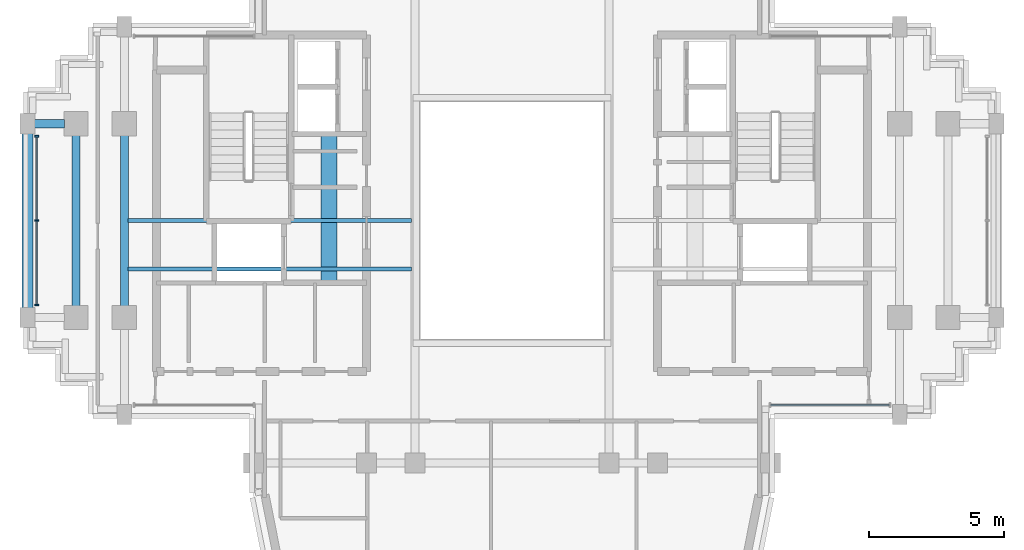
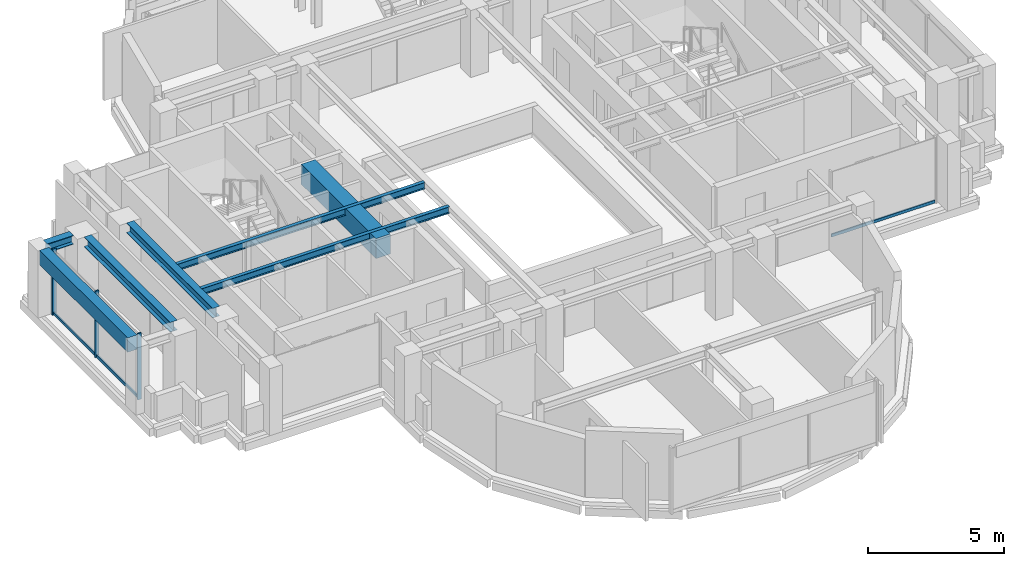
# One storey, part 4 of 13: 7 beams, 6 members, 2 elements without a shape of their own.
"""IFC4 building model written with IfcOpenShell, lengths in metres."""

from ifc_helpers import new_model, si_unit, direction, frame, origin, origin_2d, place, context, subcontext, project, spatial, rectangle, i_section, extrude, source, transform, mapped, material, material_profile, profile_set, type_object, element, aggregate, save


model = new_model("IFC4")

# Units and contexts
model_context = context("Model", 3, precision=1e-05, world=origin(), true_north=direction((0.0, 1.0)))
body_context = subcontext(model_context, "Body", "Model", "MODEL_VIEW")
ifc_project = project(units=[si_unit("LENGTHUNIT", "METRE"), si_unit("AREAUNIT", "SQUARE_METRE"), si_unit("VOLUMEUNIT", "CUBIC_METRE"), si_unit("PLANEANGLEUNIT", "RADIAN"), si_unit("MASSUNIT", "GRAM", prefix="KILO")], contexts=[model_context])

# Site, building, storey
site_placement = place(None, origin())
site = spatial("IfcSite", under=ifc_project, at=site_placement, CompositionType="ELEMENT")
building_placement = place(site_placement, origin())
building = spatial("IfcBuilding", under=site, at=building_placement, Name="Keilestroom Media Tower", CompositionType="ELEMENT")
storey_placement = place(building_placement, frame((0.0, 0.0, 230.0)))
storey = spatial("IfcBuildingStorey", under=building, at=storey_placement, Name="L63", CompositionType="ELEMENT", Elevation=230.0)

# Beams
ifc_material_1 = material(Name="Concrete C70/85", Category="concrete")
ifc_material_profile_1 = material_profile(ifc_material_1, rectangle(XDim=0.60009765625, YDim=0.89990234375, at=origin_2d()), Name="RC 600x900")
ifc_profile_set_1 = profile_set([ifc_material_profile_1], Name="Concrete C70/85")
beam_type_1 = type_object("IfcBeamType", Name="Core-Coupling-Lintel-Beam-RC-600x900", PredefinedType="LINTEL", material=ifc_profile_set_1)
shared_shape_1 = source(origin(), body_context, "Body", "SweptSolid", [
    extrude(rectangle(XDim=0.60009765625, YDim=0.89990234375, at=origin_2d()), origin(), (0.0, 0.0, 1.0), 5.52001953125),
])
beam_1_placement = place(storey_placement, frame((-6.800048828125, -2.300048828125, 2.56005859375), z_axis=(0.0, 1.0, 0.0), x_axis=(-1.0, 0.0, 0.0)))
element("IfcBeam", 1, at=beam_1_placement, inside=storey, type_object=beam_type_1, Name="L63 Beam CLB-1 CLB-L63-W", PredefinedType="LINTEL", context=body_context, shape_type="MappedRepresentation", body=[
    mapped(shared_shape_1, transform((0.0, 0.0, 0.0), x_axis=(1.0, 0.0, 0.0), y_axis=(0.0, 1.0, 0.0), z_axis=(0.0, 0.0, 1.0), scale=1.0)),
])
ifc_material_2 = material(Name="Steel S355", Category="steel")
ifc_material_profile_2 = material_profile(ifc_material_2, i_section(OverallWidth=0.300048828125, OverallDepth=0.39990234375, WebThickness=0.011474609375, FlangeThickness=0.02392578125, at=origin_2d()), Name="HEB 400")
ifc_profile_set_2 = profile_set([ifc_material_profile_2], Name="Steel S355")
beam_type_2 = type_object("IfcBeamType", Name="Primary-Structural-Girder-HEB-400", PredefinedType="BEAM", material=ifc_profile_set_2)
shared_shape_2 = source(origin(), body_context, "Body", "SweptSolid", [
    extrude(i_section(OverallWidth=0.300048828125, OverallDepth=0.39990234375, WebThickness=0.011474609375, FlangeThickness=0.02392578125, at=origin_2d()), origin(), (0.0, 0.0, 1.0), 1.115234375),
])
beam_2_placement = place(storey_placement, frame((-17.7451171875, 3.60009765625, 2.81005859375), z_axis=(1.0, 0.0, 0.0), x_axis=(0.0, 1.0, 0.0)))
element("IfcBeam", 2, at=beam_2_placement, inside=storey, type_object=beam_type_2, Name="L63 Beam BG-8 BM-L63-EW-012", PredefinedType="BEAM", context=body_context, shape_type="MappedRepresentation", body=[
    mapped(shared_shape_2, transform((0.0, 0.0, 0.0), x_axis=(1.0, 0.0, 0.0), y_axis=(0.0, 1.0, 0.0), z_axis=(0.0, 0.0, 1.0), scale=1.0)),
])
ifc_material_3 = material(Name="Precast concrete C40/50", Category="concrete")
ifc_material_profile_3 = material_profile(ifc_material_3, rectangle(XDim=0.39990234375, YDim=0.64990234375, at=origin_2d()), Name="PC 400x650")
ifc_profile_set_3 = profile_set([ifc_material_profile_3], Name="Precast concrete C40/50")
beam_type_3 = type_object("IfcBeamType", Name="Perimeter-Spandrel-Beam-PC-400x650", PredefinedType="SPANDREL", material=ifc_profile_set_3)
shared_shape_3 = source(origin(), body_context, "Body", "SweptSolid", [
    extrude(rectangle(XDim=0.39990234375, YDim=0.64990234375, at=origin_2d()), origin(), (0.0, 0.0, 1.0), 6.490234375),
])
beam_3_placement = place(storey_placement, frame((-18.0, -3.2451171875, 2.68505859375), z_axis=(0.0, 1.0, 0.0), x_axis=(-1.0, 0.0, 0.0)))
element("IfcBeam", 3, at=beam_3_placement, inside=storey, type_object=beam_type_3, Name="L63 Beam SPB-2 BM-L63-NS-025", PredefinedType="SPANDREL", context=body_context, shape_type="MappedRepresentation", body=[
    mapped(shared_shape_3, transform((0.0, 0.0, 0.0), x_axis=(1.0, 0.0, 0.0), y_axis=(0.0, 1.0, 0.0), z_axis=(0.0, 0.0, 1.0), scale=1.0)),
])
ifc_material_profile_4 = material_profile(ifc_material_2, i_section(OverallWidth=0.300048828125, OverallDepth=0.43994140625, WebThickness=0.011474609375, FlangeThickness=0.02099609375, at=origin_2d()), Name="HEA 450")
ifc_profile_set_4 = profile_set([ifc_material_profile_4], Name="Steel S355")
beam_type_4 = type_object("IfcBeamType", Name="Primary-Structural-Girder-HEA-450", PredefinedType="BEAM", material=ifc_profile_set_4)
shared_shape_4 = source(origin(), body_context, "Body", "SweptSolid", [
    extrude(i_section(OverallWidth=0.300048828125, OverallDepth=0.43994140625, WebThickness=0.011474609375, FlangeThickness=0.02099609375, at=origin_2d()), origin(), (0.0, 0.0, 1.0), 6.33984375),
])
for number, where, z_axis, x_axis, name in (
    (4, (-16.199951171875, -3.169921875, 2.7900390625), (0.0, 1.0, 0.0), (-1.0, 0.0, 0.0), "L63 Beam BG-11 BM-L63-NS-026"),
    (5, (-14.39990234375, -3.169921875, 2.7900390625), (0.0, 1.0, 0.0), (-1.0, 0.0, 0.0), "L63 Beam BG-11 BM-L63-NS-028"),
):
    element("IfcBeam", number, at=place(storey_placement, frame(where, z_axis=z_axis, x_axis=x_axis)), inside=storey, type_object=beam_type_4, Name=name, PredefinedType="BEAM", context=body_context, shape_type="MappedRepresentation", body=[
        mapped(shared_shape_4, transform((0.0, 0.0, 0.0), x_axis=(1.0, 0.0, 0.0), y_axis=(0.0, 1.0, 0.0), z_axis=(0.0, 0.0, 1.0), scale=1.0)),
    ])
ifc_material_profile_5 = material_profile(ifc_material_2, i_section(OverallWidth=0.14990234375, OverallDepth=0.300048828125, WebThickness=0.007080078125, FlangeThickness=0.0107421875, at=origin_2d()), Name="IPE 300")
ifc_profile_set_5 = profile_set([ifc_material_profile_5], Name="Steel S355")
beam_type_5 = type_object("IfcBeamType", Name="Secondary-Floor-Joist-IPE-300", PredefinedType="JOIST", material=ifc_profile_set_5)
shared_shape_5 = source(origin(), body_context, "Body", "SweptSolid", [
    extrude(i_section(OverallWidth=0.14990234375, OverallDepth=0.300048828125, WebThickness=0.007080078125, FlangeThickness=0.0107421875, at=origin_2d()), origin(), (0.0, 0.0, 1.0), 10.5400390625),
])
for number, where, z_axis, x_axis, name in (
    (6, (-14.27001953125, -1.800048828125, 2.860107421875), (1.0, 0.0, 0.0), (0.0, 1.0, 0.0), "L63 Beam BJ-7 JST-L63-045"),
    (7, (-14.27001953125, 0.0, 2.860107421875), (1.0, 0.0, 0.0), (0.0, 1.0, 0.0), "L63 Beam BJ-7 JST-L63-048"),
):
    element("IfcBeam", number, at=place(storey_placement, frame(where, z_axis=z_axis, x_axis=x_axis)), inside=storey, type_object=beam_type_5, Name=name, PredefinedType="JOIST", context=body_context, shape_type="MappedRepresentation", body=[
        mapped(shared_shape_5, transform((0.0, 0.0, 0.0), x_axis=(1.0, 0.0, 0.0), y_axis=(0.0, 1.0, 0.0), z_axis=(0.0, 0.0, 1.0), scale=1.0)),
    ])

# Curtain wall, members
ifc_material_4 = material(Name="Anodised Aluminium Alloy", Category="aluminium")
curtain_wall_type = type_object("IfcCurtainWallType", Name="Unitised-Curtain-Wall-CW-4", PredefinedType="NOTDEFINED", material=ifc_material_4)
curtain_wall_1_placement = place(storey_placement, origin())
curtain_wall_1 = element("IfcCurtainWall", 8, at=curtain_wall_1_placement, inside=storey, type_object=curtain_wall_type, Name="L63 Curtain Wall CW-4 CW-L63-W-1", PredefinedType="NOTDEFINED")
ifc_material_profile_6 = material_profile(ifc_material_4, rectangle(XDim=0.06005859375, YDim=0.159912109375, at=origin_2d()), Name="ALU MULLION 60x160")
ifc_profile_set_6 = profile_set([ifc_material_profile_6], Name="Anodised Aluminium Alloy")
member_type_1 = type_object("IfcMemberType", Name="Curtain-Wall-Mullion-CW-4", PredefinedType="MULLION", material=ifc_profile_set_6)
shared_shape_6 = source(origin(), body_context, "Body", "SweptSolid", [
    extrude(rectangle(XDim=0.06005859375, YDim=0.159912109375, at=origin_2d()), origin(), (0.0, 0.0, 1.0), 2.97998046875),
])
member_1_placement = place(storey_placement, frame((-17.64990234375, -3.135009765625, 0.0), z_axis=(0.0, 0.0, 1.0), x_axis=(0.0, 1.0, 0.0)))
member_1 = element("IfcMember", 9, at=member_1_placement, type_object=member_type_1, Name="CW-4 Mullion 00", PredefinedType="MULLION", context=body_context, shape_type="MappedRepresentation", body=[
    mapped(shared_shape_6, transform((0.0, 0.0, 0.0), x_axis=(1.0, 0.0, 0.0), y_axis=(0.0, 1.0, 0.0), z_axis=(0.0, 0.0, 1.0), scale=1.0)),
])
member_2_placement = place(storey_placement, frame((-17.64990234375, 0.0, 0.0), z_axis=(0.0, 0.0, 1.0), x_axis=(0.0, 1.0, 0.0)))
member_2 = element("IfcMember", 10, at=member_2_placement, type_object=member_type_1, Name="CW-4 Mullion 01", PredefinedType="MULLION", context=body_context, shape_type="MappedRepresentation", body=[
    mapped(shared_shape_6, transform((0.0, 0.0, 0.0), x_axis=(1.0, 0.0, 0.0), y_axis=(0.0, 1.0, 0.0), z_axis=(0.0, 0.0, 1.0), scale=1.0)),
])
member_3_placement = place(storey_placement, frame((-17.64990234375, 3.135009765625, 0.0), z_axis=(0.0, 0.0, 1.0), x_axis=(0.0, 1.0, 0.0)))
member_3 = element("IfcMember", 11, at=member_3_placement, type_object=member_type_1, Name="CW-4 Mullion 02", PredefinedType="MULLION", context=body_context, shape_type="MappedRepresentation", body=[
    mapped(shared_shape_6, transform((0.0, 0.0, 0.0), x_axis=(1.0, 0.0, 0.0), y_axis=(0.0, 1.0, 0.0), z_axis=(0.0, 0.0, 1.0), scale=1.0)),
])
ifc_material_profile_7 = material_profile(ifc_material_4, rectangle(XDim=0.06005859375, YDim=0.1298828125, at=origin_2d()), Name="ALU TRANSOM 60x130")
ifc_profile_set_7 = profile_set([ifc_material_profile_7], Name="Anodised Aluminium Alloy")
member_type_2 = type_object("IfcMemberType", Name="Curtain-Wall-Transom-CW-4", PredefinedType="USERDEFINED", material=ifc_profile_set_7)
shared_shape_7 = source(origin(), body_context, "Body", "SweptSolid", [
    extrude(rectangle(XDim=0.06005859375, YDim=0.1298828125, at=origin_2d()), origin(), (0.0, 0.0, 1.0), 3.078857421875),
])
member_4_placement = place(storey_placement, frame((-17.64990234375, -3.10693359375, 0.06494140625), z_axis=(0.0, 1.0, 0.0), x_axis=(-1.0, 0.0, 0.0)))
member_4 = element("IfcMember", 12, at=member_4_placement, type_object=member_type_2, Name="CW-4 Transom 00.1", ObjectType="TRANSOM", PredefinedType="USERDEFINED", context=body_context, shape_type="MappedRepresentation", body=[
    mapped(shared_shape_7, transform((0.0, 0.0, 0.0), x_axis=(1.0, 0.0, 0.0), y_axis=(0.0, 1.0, 0.0), z_axis=(0.0, 0.0, 1.0), scale=1.0)),
])
member_5_placement = place(storey_placement, frame((-17.64990234375, 0.028076171875, 0.06494140625), z_axis=(0.0, 1.0, 0.0), x_axis=(-1.0, 0.0, 0.0)))
member_5 = element("IfcMember", 13, at=member_5_placement, type_object=member_type_2, Name="CW-4 Transom 01.1", ObjectType="TRANSOM", PredefinedType="USERDEFINED", context=body_context, shape_type="MappedRepresentation", body=[
    mapped(shared_shape_7, transform((0.0, 0.0, 0.0), x_axis=(1.0, 0.0, 0.0), y_axis=(0.0, 1.0, 0.0), z_axis=(0.0, 0.0, 1.0), scale=1.0)),
])
aggregate(curtain_wall_1, [member_1, member_2, member_3, member_4, member_5])

# Curtain wall, member
curtain_wall_2_placement = place(storey_placement, origin())
curtain_wall_2 = element("IfcCurtainWall", 14, at=curtain_wall_2_placement, inside=storey, type_object=curtain_wall_type, Name="L63 Curtain Wall CW-4 CW-L63-SE-1", PredefinedType="NOTDEFINED")
shared_shape_8 = source(origin(), body_context, "Body", "SweptSolid", [
    extrude(rectangle(XDim=0.06005859375, YDim=0.1298828125, at=origin_2d()), origin(), (0.0, 0.0, 1.0), 4.399169921875),
])
member_6_placement = place(storey_placement, frame((9.60791015625, -6.85009765625, 0.06494140625), z_axis=(1.0, 0.0, 0.0), x_axis=(0.0, 1.0, 0.0)))
member_6 = element("IfcMember", 15, at=member_6_placement, type_object=member_type_2, Name="CW-4 Transom 00.1", ObjectType="TRANSOM", PredefinedType="USERDEFINED", context=body_context, shape_type="MappedRepresentation", body=[
    mapped(shared_shape_8, transform((0.0, 0.0, 0.0), x_axis=(1.0, 0.0, 0.0), y_axis=(0.0, 1.0, 0.0), z_axis=(0.0, 0.0, 1.0), scale=1.0)),
])
aggregate(curtain_wall_2, [member_6])

save(model, "model.ifc")
